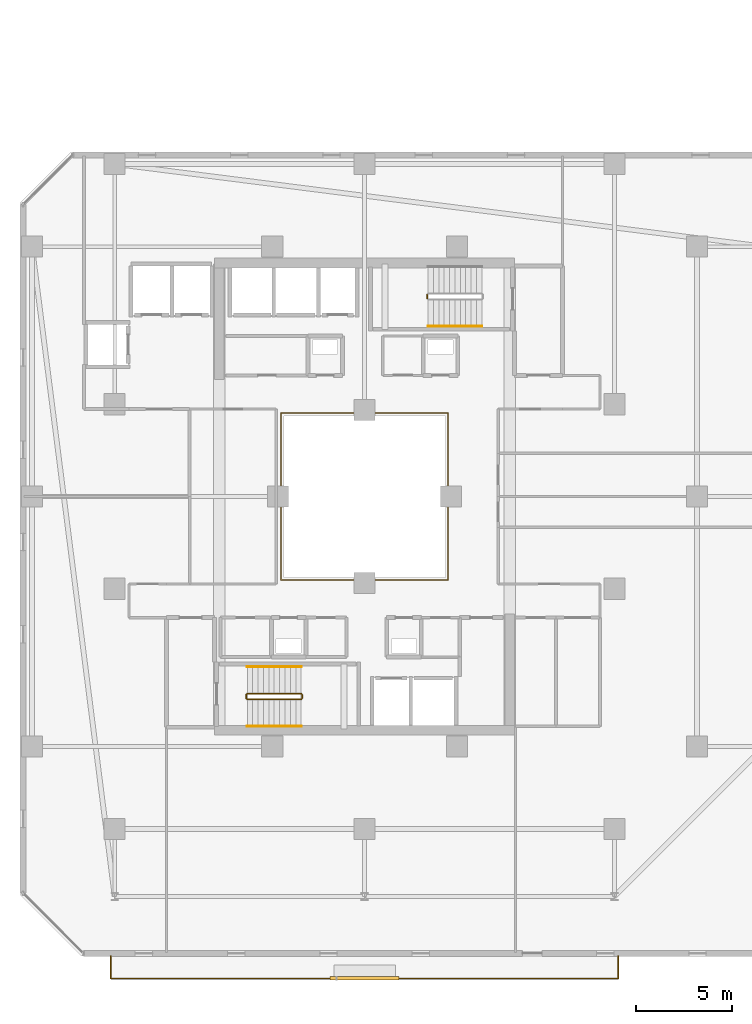
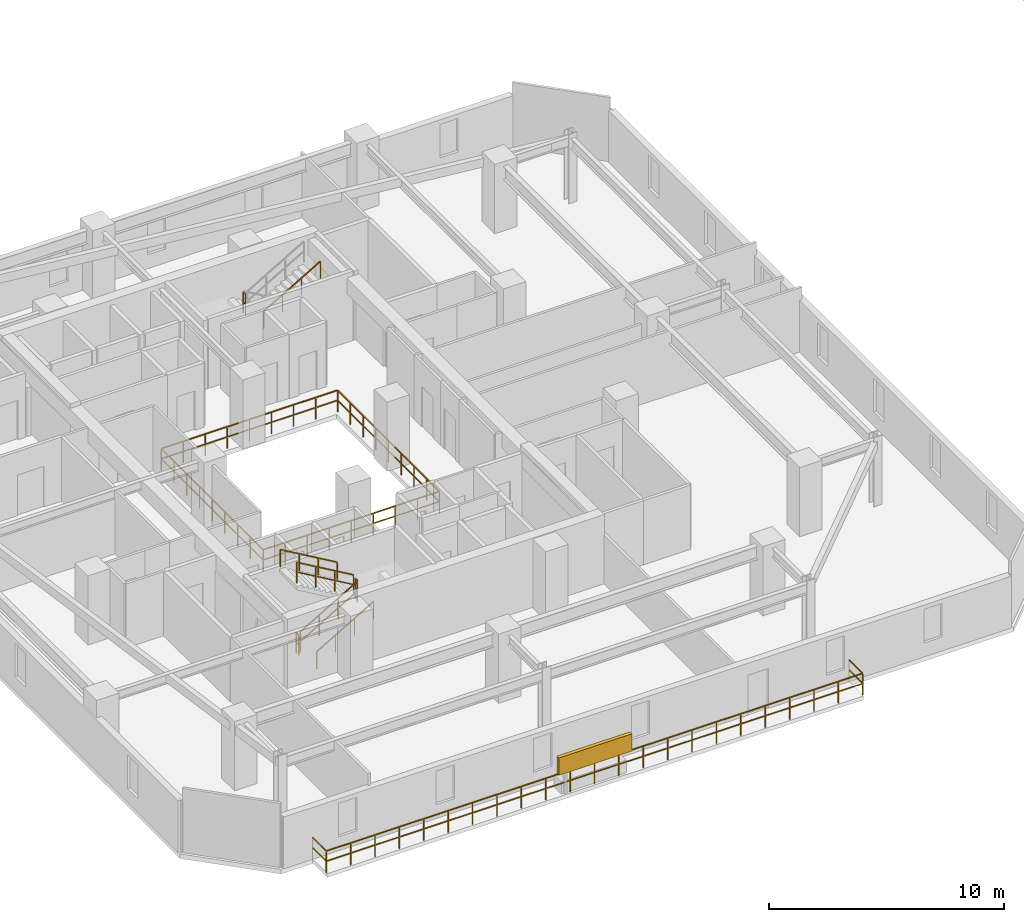
# One storey, part 30 of 33: 10 railings, 1 shading device.
"""IFC4 building model written with IfcOpenShell, lengths in metres."""

from ifc_helpers import new_model, si_unit, direction, frame, origin, origin_2d, place, context, subcontext, project, spatial, rectangle, extrude, material, type_object, element, save


model = new_model("IFC4")

# Units and contexts
model_context = context("Model", 3, precision=1e-05, world=origin(), true_north=direction((0.0, 1.0)))
body_context = subcontext(model_context, "Body", "Model", "MODEL_VIEW")
ifc_project = project(units=[si_unit("LENGTHUNIT", "METRE"), si_unit("AREAUNIT", "SQUARE_METRE"), si_unit("VOLUMEUNIT", "CUBIC_METRE"), si_unit("PLANEANGLEUNIT", "RADIAN"), si_unit("MASSUNIT", "GRAM", prefix="KILO")], contexts=[model_context])

# Site, building, storey
site_placement = place(None, origin())
site = spatial("IfcSite", under=ifc_project, at=site_placement, CompositionType="ELEMENT")
building_placement = place(site_placement, origin())
building = spatial("IfcBuilding", under=site, at=building_placement, Name="Thornwick Lancets Civic Towers", CompositionType="ELEMENT")
storey_placement = place(building_placement, frame((0.0, 0.0, 163.5)))
storey = spatial("IfcBuildingStorey", under=building, at=storey_placement, Name="L43", CompositionType="ELEMENT", Elevation=163.5)

# Railings
ifc_material_1 = material(Name="Laminated glass and bronze steel S355", Category="steel")
railing_type_1 = type_object("IfcRailingType", Name="RAIL_ATRIUM_GUARD", PredefinedType="BALUSTRADE", material=ifc_material_1)
railing_1_placement = place(storey_placement, frame((21.159912109375, 22.659912109375, 0.0)))
element("IfcRailing", 1, at=railing_1_placement, inside=storey, type_object=railing_type_1, Name="L43 Tower A Central Atrium Guard Balustrade", PredefinedType="BALUSTRADE", context=body_context, shape_type="SweptSolid", body=[
    extrude(rectangle(XDim=0.048095703125, YDim=0.048095703125, at=origin_2d()), frame((0.0, 0.0, 1.1259765625), z_axis=(1.0, 0.0, 0.0), x_axis=(0.0, 1.0, 0.0)), (0.0, 0.0, 1.0), 8.64892578125),
    extrude(rectangle(XDim=0.0419921875, YDim=0.0419921875, at=origin_2d()), frame((0.03759765625, 0.0, 0.597900390625), z_axis=(1.0, 0.0, 0.0), x_axis=(0.0, 1.0, 0.0)), (0.0, 0.0, 1.0), 1.010009765625),
    extrude(rectangle(XDim=0.0419921875, YDim=0.0419921875, at=origin_2d()), frame((1.12255859375, 0.0, 0.597900390625), z_axis=(1.0, 0.0, 0.0), x_axis=(0.0, 1.0, 0.0)), (0.0, 0.0, 1.0), 1.010009765625),
    extrude(rectangle(XDim=0.0419921875, YDim=0.0419921875, at=origin_2d()), frame((2.20751953125, 0.0, 0.597900390625), z_axis=(1.0, 0.0, 0.0), x_axis=(0.0, 1.0, 0.0)), (0.0, 0.0, 1.0), 1.010009765625),
    extrude(rectangle(XDim=0.0419921875, YDim=0.0419921875, at=origin_2d()), frame((3.29248046875, 0.0, 0.597900390625), z_axis=(1.0, 0.0, 0.0), x_axis=(0.0, 1.0, 0.0)), (0.0, 0.0, 1.0), 1.010009765625),
    extrude(rectangle(XDim=0.0419921875, YDim=0.0419921875, at=origin_2d()), frame((4.377685546875, 0.0, 0.597900390625), z_axis=(1.0, 0.0, 0.0), x_axis=(0.0, 1.0, 0.0)), (0.0, 0.0, 1.0), 1.010009765625),
    extrude(rectangle(XDim=0.0419921875, YDim=0.0419921875, at=origin_2d()), frame((5.462646484375, 0.0, 0.597900390625), z_axis=(1.0, 0.0, 0.0), x_axis=(0.0, 1.0, 0.0)), (0.0, 0.0, 1.0), 1.010009765625),
    extrude(rectangle(XDim=0.0419921875, YDim=0.0419921875, at=origin_2d()), frame((6.547607421875, 0.0, 0.597900390625), z_axis=(1.0, 0.0, 0.0), x_axis=(0.0, 1.0, 0.0)), (0.0, 0.0, 1.0), 1.010009765625),
    extrude(rectangle(XDim=0.0419921875, YDim=0.0419921875, at=origin_2d()), frame((7.632568359375, 0.0, 0.597900390625), z_axis=(1.0, 0.0, 0.0), x_axis=(0.0, 1.0, 0.0)), (0.0, 0.0, 1.0), 1.010009765625),
    extrude(rectangle(XDim=0.048095703125, YDim=0.048095703125, at=origin_2d()), frame((8.68017578125, 0.03125, 1.1259765625), z_axis=(0.0, 1.0, 0.0), x_axis=(-1.0, 0.0, 0.0)), (0.0, 0.0, 1.0), 8.61767578125),
    extrude(rectangle(XDim=0.0419921875, YDim=0.0419921875, at=origin_2d()), frame((8.68017578125, 0.03759765625, 0.597900390625), z_axis=(0.0, 1.0, 0.0), x_axis=(-1.0, 0.0, 0.0)), (0.0, 0.0, 1.0), 1.010009765625),
    extrude(rectangle(XDim=0.0419921875, YDim=0.0419921875, at=origin_2d()), frame((8.68017578125, 1.12255859375, 0.597900390625), z_axis=(0.0, 1.0, 0.0), x_axis=(-1.0, 0.0, 0.0)), (0.0, 0.0, 1.0), 1.010009765625),
    extrude(rectangle(XDim=0.0419921875, YDim=0.0419921875, at=origin_2d()), frame((8.68017578125, 2.20751953125, 0.597900390625), z_axis=(0.0, 1.0, 0.0), x_axis=(-1.0, 0.0, 0.0)), (0.0, 0.0, 1.0), 1.010009765625),
    extrude(rectangle(XDim=0.0419921875, YDim=0.0419921875, at=origin_2d()), frame((8.68017578125, 3.29248046875, 0.597900390625), z_axis=(0.0, 1.0, 0.0), x_axis=(-1.0, 0.0, 0.0)), (0.0, 0.0, 1.0), 1.010009765625),
    extrude(rectangle(XDim=0.0419921875, YDim=0.0419921875, at=origin_2d()), frame((8.68017578125, 4.377685546875, 0.597900390625), z_axis=(0.0, 1.0, 0.0), x_axis=(-1.0, 0.0, 0.0)), (0.0, 0.0, 1.0), 1.010009765625),
    extrude(rectangle(XDim=0.0419921875, YDim=0.0419921875, at=origin_2d()), frame((8.68017578125, 5.462646484375, 0.597900390625), z_axis=(0.0, 1.0, 0.0), x_axis=(-1.0, 0.0, 0.0)), (0.0, 0.0, 1.0), 1.010009765625),
    extrude(rectangle(XDim=0.0419921875, YDim=0.0419921875, at=origin_2d()), frame((8.68017578125, 6.547607421875, 0.597900390625), z_axis=(0.0, 1.0, 0.0), x_axis=(-1.0, 0.0, 0.0)), (0.0, 0.0, 1.0), 1.010009765625),
    extrude(rectangle(XDim=0.0419921875, YDim=0.0419921875, at=origin_2d()), frame((8.68017578125, 7.632568359375, 0.597900390625), z_axis=(0.0, 1.0, 0.0), x_axis=(-1.0, 0.0, 0.0)), (0.0, 0.0, 1.0), 1.010009765625),
    extrude(rectangle(XDim=0.048095703125, YDim=0.048095703125, at=origin_2d()), frame((8.64892578125, 8.68017578125, 1.1259765625), z_axis=(-1.0, 0.0, 0.0), x_axis=(0.0, -1.0, 0.0)), (0.0, 0.0, 1.0), 8.61767578125),
    extrude(rectangle(XDim=0.0419921875, YDim=0.0419921875, at=origin_2d()), frame((8.642578125, 8.68017578125, 0.597900390625), z_axis=(-1.0, 0.0, 0.0), x_axis=(0.0, -1.0, 0.0)), (0.0, 0.0, 1.0), 1.010009765625),
    extrude(rectangle(XDim=0.0419921875, YDim=0.0419921875, at=origin_2d()), frame((7.5576171875, 8.68017578125, 0.597900390625), z_axis=(-1.0, 0.0, 0.0), x_axis=(0.0, -1.0, 0.0)), (0.0, 0.0, 1.0), 1.010009765625),
    extrude(rectangle(XDim=0.0419921875, YDim=0.0419921875, at=origin_2d()), frame((6.47265625, 8.68017578125, 0.597900390625), z_axis=(-1.0, 0.0, 0.0), x_axis=(0.0, -1.0, 0.0)), (0.0, 0.0, 1.0), 1.010009765625),
    extrude(rectangle(XDim=0.0419921875, YDim=0.0419921875, at=origin_2d()), frame((5.3876953125, 8.68017578125, 0.597900390625), z_axis=(-1.0, 0.0, 0.0), x_axis=(0.0, -1.0, 0.0)), (0.0, 0.0, 1.0), 1.010009765625),
    extrude(rectangle(XDim=0.0419921875, YDim=0.0419921875, at=origin_2d()), frame((4.302490234375, 8.68017578125, 0.597900390625), z_axis=(-1.0, 0.0, 0.0), x_axis=(0.0, -1.0, 0.0)), (0.0, 0.0, 1.0), 1.010009765625),
    extrude(rectangle(XDim=0.0419921875, YDim=0.0419921875, at=origin_2d()), frame((3.217529296875, 8.68017578125, 0.597900390625), z_axis=(-1.0, 0.0, 0.0), x_axis=(0.0, -1.0, 0.0)), (0.0, 0.0, 1.0), 1.010009765625),
    extrude(rectangle(XDim=0.0419921875, YDim=0.0419921875, at=origin_2d()), frame((2.132568359375, 8.68017578125, 0.597900390625), z_axis=(-1.0, 0.0, 0.0), x_axis=(0.0, -1.0, 0.0)), (0.0, 0.0, 1.0), 1.010009765625),
    extrude(rectangle(XDim=0.0419921875, YDim=0.0419921875, at=origin_2d()), frame((1.047607421875, 8.68017578125, 0.597900390625), z_axis=(-1.0, 0.0, 0.0), x_axis=(0.0, -1.0, 0.0)), (0.0, 0.0, 1.0), 1.010009765625),
    extrude(rectangle(XDim=0.048095703125, YDim=0.048095703125, at=origin_2d()), frame((0.0, 8.64892578125, 1.1259765625), z_axis=(0.0, -1.0, 0.0), x_axis=(1.0, 0.0, 0.0)), (0.0, 0.0, 1.0), 8.64892578125),
    extrude(rectangle(XDim=0.0419921875, YDim=0.0419921875, at=origin_2d()), frame((0.0, 8.642578125, 0.597900390625), z_axis=(0.0, -1.0, 0.0), x_axis=(1.0, 0.0, 0.0)), (0.0, 0.0, 1.0), 1.010009765625),
    extrude(rectangle(XDim=0.0419921875, YDim=0.0419921875, at=origin_2d()), frame((0.0, 7.5576171875, 0.597900390625), z_axis=(0.0, -1.0, 0.0), x_axis=(1.0, 0.0, 0.0)), (0.0, 0.0, 1.0), 1.010009765625),
    extrude(rectangle(XDim=0.0419921875, YDim=0.0419921875, at=origin_2d()), frame((0.0, 6.47265625, 0.597900390625), z_axis=(0.0, -1.0, 0.0), x_axis=(1.0, 0.0, 0.0)), (0.0, 0.0, 1.0), 1.010009765625),
    extrude(rectangle(XDim=0.0419921875, YDim=0.0419921875, at=origin_2d()), frame((0.0, 5.3876953125, 0.597900390625), z_axis=(0.0, -1.0, 0.0), x_axis=(1.0, 0.0, 0.0)), (0.0, 0.0, 1.0), 1.010009765625),
    extrude(rectangle(XDim=0.0419921875, YDim=0.0419921875, at=origin_2d()), frame((0.0, 4.302490234375, 0.597900390625), z_axis=(0.0, -1.0, 0.0), x_axis=(1.0, 0.0, 0.0)), (0.0, 0.0, 1.0), 1.010009765625),
    extrude(rectangle(XDim=0.0419921875, YDim=0.0419921875, at=origin_2d()), frame((0.0, 3.217529296875, 0.597900390625), z_axis=(0.0, -1.0, 0.0), x_axis=(1.0, 0.0, 0.0)), (0.0, 0.0, 1.0), 1.010009765625),
    extrude(rectangle(XDim=0.0419921875, YDim=0.0419921875, at=origin_2d()), frame((0.0, 2.132568359375, 0.597900390625), z_axis=(0.0, -1.0, 0.0), x_axis=(1.0, 0.0, 0.0)), (0.0, 0.0, 1.0), 1.010009765625),
    extrude(rectangle(XDim=0.0419921875, YDim=0.0419921875, at=origin_2d()), frame((0.0, 1.047607421875, 0.597900390625), z_axis=(0.0, -1.0, 0.0), x_axis=(1.0, 0.0, 0.0)), (0.0, 0.0, 1.0), 1.010009765625),
    extrude(rectangle(XDim=0.0419921875, YDim=0.0419921875, at=origin_2d()), origin(), (0.0, 0.0, 1.0), 1.095703125),
    extrude(rectangle(XDim=0.0419921875, YDim=0.0419921875, at=origin_2d()), frame((1.0849609375, 0.0, 0.0)), (0.0, 0.0, 1.0), 1.095703125),
    extrude(rectangle(XDim=0.0419921875, YDim=0.0419921875, at=origin_2d()), frame((2.169921875, 0.0, 0.0)), (0.0, 0.0, 1.0), 1.095703125),
    extrude(rectangle(XDim=0.0419921875, YDim=0.0419921875, at=origin_2d()), frame((3.255126953125, 0.0, 0.0)), (0.0, 0.0, 1.0), 1.095703125),
    extrude(rectangle(XDim=0.0419921875, YDim=0.0419921875, at=origin_2d()), frame((4.340087890625, 0.0, 0.0)), (0.0, 0.0, 1.0), 1.095703125),
    extrude(rectangle(XDim=0.0419921875, YDim=0.0419921875, at=origin_2d()), frame((5.425048828125, 0.0, 0.0)), (0.0, 0.0, 1.0), 1.095703125),
    extrude(rectangle(XDim=0.0419921875, YDim=0.0419921875, at=origin_2d()), frame((6.51025390625, 0.0, 0.0)), (0.0, 0.0, 1.0), 1.095703125),
    extrude(rectangle(XDim=0.0419921875, YDim=0.0419921875, at=origin_2d()), frame((7.59521484375, 0.0, 0.0)), (0.0, 0.0, 1.0), 1.095703125),
    extrude(rectangle(XDim=0.0419921875, YDim=0.0419921875, at=origin_2d()), frame((8.68017578125, 0.0, 0.0)), (0.0, 0.0, 1.0), 1.095703125),
    extrude(rectangle(XDim=0.0419921875, YDim=0.0419921875, at=origin_2d()), frame((8.68017578125, 1.0849609375, 0.0)), (0.0, 0.0, 1.0), 1.095703125),
    extrude(rectangle(XDim=0.0419921875, YDim=0.0419921875, at=origin_2d()), frame((8.68017578125, 2.169921875, 0.0)), (0.0, 0.0, 1.0), 1.095703125),
    extrude(rectangle(XDim=0.0419921875, YDim=0.0419921875, at=origin_2d()), frame((8.68017578125, 3.255126953125, 0.0)), (0.0, 0.0, 1.0), 1.095703125),
    extrude(rectangle(XDim=0.0419921875, YDim=0.0419921875, at=origin_2d()), frame((8.68017578125, 4.340087890625, 0.0)), (0.0, 0.0, 1.0), 1.095703125),
    extrude(rectangle(XDim=0.0419921875, YDim=0.0419921875, at=origin_2d()), frame((8.68017578125, 5.425048828125, 0.0)), (0.0, 0.0, 1.0), 1.095703125),
    extrude(rectangle(XDim=0.0419921875, YDim=0.0419921875, at=origin_2d()), frame((8.68017578125, 6.51025390625, 0.0)), (0.0, 0.0, 1.0), 1.095703125),
    extrude(rectangle(XDim=0.0419921875, YDim=0.0419921875, at=origin_2d()), frame((8.68017578125, 7.59521484375, 0.0)), (0.0, 0.0, 1.0), 1.095703125),
    extrude(rectangle(XDim=0.0419921875, YDim=0.0419921875, at=origin_2d()), frame((8.68017578125, 8.68017578125, 0.0)), (0.0, 0.0, 1.0), 1.095703125),
    extrude(rectangle(XDim=0.0419921875, YDim=0.0419921875, at=origin_2d()), frame((7.59521484375, 8.68017578125, 0.0)), (0.0, 0.0, 1.0), 1.095703125),
    extrude(rectangle(XDim=0.0419921875, YDim=0.0419921875, at=origin_2d()), frame((6.51025390625, 8.68017578125, 0.0)), (0.0, 0.0, 1.0), 1.095703125),
    extrude(rectangle(XDim=0.0419921875, YDim=0.0419921875, at=origin_2d()), frame((5.425048828125, 8.68017578125, 0.0)), (0.0, 0.0, 1.0), 1.095703125),
    extrude(rectangle(XDim=0.0419921875, YDim=0.0419921875, at=origin_2d()), frame((4.340087890625, 8.68017578125, 0.0)), (0.0, 0.0, 1.0), 1.095703125),
    extrude(rectangle(XDim=0.0419921875, YDim=0.0419921875, at=origin_2d()), frame((3.255126953125, 8.68017578125, 0.0)), (0.0, 0.0, 1.0), 1.095703125),
    extrude(rectangle(XDim=0.0419921875, YDim=0.0419921875, at=origin_2d()), frame((2.169921875, 8.68017578125, 0.0)), (0.0, 0.0, 1.0), 1.095703125),
    extrude(rectangle(XDim=0.0419921875, YDim=0.0419921875, at=origin_2d()), frame((1.0849609375, 8.68017578125, 0.0)), (0.0, 0.0, 1.0), 1.095703125),
    extrude(rectangle(XDim=0.0419921875, YDim=0.0419921875, at=origin_2d()), frame((0.0, 8.68017578125, 0.0)), (0.0, 0.0, 1.0), 1.095703125),
    extrude(rectangle(XDim=0.0419921875, YDim=0.0419921875, at=origin_2d()), frame((0.0, 7.59521484375, 0.0)), (0.0, 0.0, 1.0), 1.095703125),
    extrude(rectangle(XDim=0.0419921875, YDim=0.0419921875, at=origin_2d()), frame((0.0, 6.51025390625, 0.0)), (0.0, 0.0, 1.0), 1.095703125),
    extrude(rectangle(XDim=0.0419921875, YDim=0.0419921875, at=origin_2d()), frame((0.0, 5.425048828125, 0.0)), (0.0, 0.0, 1.0), 1.095703125),
    extrude(rectangle(XDim=0.0419921875, YDim=0.0419921875, at=origin_2d()), frame((0.0, 4.340087890625, 0.0)), (0.0, 0.0, 1.0), 1.095703125),
    extrude(rectangle(XDim=0.0419921875, YDim=0.0419921875, at=origin_2d()), frame((0.0, 3.255126953125, 0.0)), (0.0, 0.0, 1.0), 1.095703125),
    extrude(rectangle(XDim=0.0419921875, YDim=0.0419921875, at=origin_2d()), frame((0.0, 2.169921875, 0.0)), (0.0, 0.0, 1.0), 1.095703125),
    extrude(rectangle(XDim=0.0419921875, YDim=0.0419921875, at=origin_2d()), frame((0.0, 1.0849609375, 0.0)), (0.0, 0.0, 1.0), 1.095703125),
])
ifc_material_2 = material(Name="Brushed stainless steel S355", Category="steel")
railing_type_2 = type_object("IfcRailingType", Name="RAIL_HANDRAIL", PredefinedType="HANDRAIL", material=ifc_material_2)
railing_2_placement = place(storey_placement, frame((19.39990234375, 15.050048828125, 0.16357421875)))
element("IfcRailing", 2, at=railing_2_placement, inside=storey, type_object=railing_type_2, Name="L43 ST-A1 stair handrail 1", PredefinedType="HANDRAIL", context=body_context, shape_type="SweptSolid", body=[
    extrude(rectangle(XDim=0.048095703125, YDim=0.048095703125, at=origin_2d()), frame((0.0, 0.0, 0.8857421875), z_axis=(0.863360870873, 0.0, 0.504586966384), x_axis=(0.0, 1.0, 0.0)), (0.0, 0.0, 1.0), 3.2431640625),
    extrude(rectangle(XDim=0.0419921875, YDim=0.0419921875, at=origin_2d()), origin(), (0.0, 0.0, 1.0), 0.855712890625),
    extrude(rectangle(XDim=0.0419921875, YDim=0.0419921875, at=origin_2d()), frame((0.933349609375, 0.0, 0.54541015625)), (0.0, 0.0, 1.0), 0.855712890625),
    extrude(rectangle(XDim=0.0419921875, YDim=0.0419921875, at=origin_2d()), frame((1.86669921875, 0.0, 1.091064453125)), (0.0, 0.0, 1.0), 0.855712890625),
    extrude(rectangle(XDim=0.0419921875, YDim=0.0419921875, at=origin_2d()), frame((2.800048828125, 0.0, 1.636474609375)), (0.0, 0.0, 1.0), 0.855712890625),
])
railing_3_placement = place(storey_placement, frame((22.199951171875, 18.14990234375, 1.963623046875)))
element("IfcRailing", 3, at=railing_3_placement, inside=storey, type_object=railing_type_2, Name="L43 ST-A1 stair handrail 2", PredefinedType="HANDRAIL", context=body_context, shape_type="SweptSolid", body=[
    extrude(rectangle(XDim=0.048095703125, YDim=0.048095703125, at=origin_2d()), frame((0.0, 0.0, 0.8857421875), z_axis=(-0.863360870873, 0.0, 0.504586966384), x_axis=(0.0, -1.0, 0.0)), (0.0, 0.0, 1.0), 3.2431640625),
    extrude(rectangle(XDim=0.0419921875, YDim=0.0419921875, at=origin_2d()), origin(), (0.0, 0.0, 1.0), 0.855712890625),
    extrude(rectangle(XDim=0.0419921875, YDim=0.0419921875, at=origin_2d()), frame((-0.933349609375, 0.0, 0.54541015625)), (0.0, 0.0, 1.0), 0.855712890625),
    extrude(rectangle(XDim=0.0419921875, YDim=0.0419921875, at=origin_2d()), frame((-1.86669921875, 0.0, 1.091064453125)), (0.0, 0.0, 1.0), 0.855712890625),
    extrude(rectangle(XDim=0.0419921875, YDim=0.0419921875, at=origin_2d()), frame((-2.800048828125, 0.0, 1.636474609375)), (0.0, 0.0, 1.0), 0.855712890625),
])
railing_4_placement = place(storey_placement, frame((28.800048828125, 35.85009765625, 1.963623046875)))
element("IfcRailing", 4, at=railing_4_placement, inside=storey, type_object=railing_type_2, Name="L43 ST-A2 stair handrail 2", PredefinedType="HANDRAIL", context=body_context, shape_type="SweptSolid", body=[
    extrude(rectangle(XDim=0.048095703125, YDim=0.048095703125, at=origin_2d()), frame((0.0, 0.0, 0.8857421875), z_axis=(0.863360870873, 0.0, 0.504586966384), x_axis=(0.0, 1.0, 0.0)), (0.0, 0.0, 1.0), 3.2431640625),
    extrude(rectangle(XDim=0.0419921875, YDim=0.0419921875, at=origin_2d()), origin(), (0.0, 0.0, 1.0), 0.855712890625),
    extrude(rectangle(XDim=0.0419921875, YDim=0.0419921875, at=origin_2d()), frame((0.933349609375, 0.0, 0.54541015625)), (0.0, 0.0, 1.0), 0.855712890625),
    extrude(rectangle(XDim=0.0419921875, YDim=0.0419921875, at=origin_2d()), frame((1.86669921875, 0.0, 1.091064453125)), (0.0, 0.0, 1.0), 0.855712890625),
    extrude(rectangle(XDim=0.0419921875, YDim=0.0419921875, at=origin_2d()), frame((2.800048828125, 0.0, 1.636474609375)), (0.0, 0.0, 1.0), 0.855712890625),
])
ifc_material_3 = material(Name="Steel S355JR", Category="steel")
railing_type_3 = type_object("IfcRailingType", Name="RAIL_STAIR_GUARD", PredefinedType="GUARDRAIL", material=ifc_material_3)
railing_5_placement = place(storey_placement, frame((19.39990234375, 16.449951171875, 0.16357421875)))
element("IfcRailing", 5, at=railing_5_placement, inside=storey, type_object=railing_type_3, Name="L43 ST-A1 stair guard 1", PredefinedType="GUARDRAIL", context=body_context, shape_type="SweptSolid", body=[
    extrude(rectangle(XDim=0.048095703125, YDim=0.048095703125, at=origin_2d()), frame((0.0, 0.0, 1.076171875), z_axis=(0.863360870873, 0.0, 0.504586966384), x_axis=(0.0, 1.0, 0.0)), (0.0, 0.0, 1.0), 3.2431640625),
    extrude(rectangle(XDim=0.0419921875, YDim=0.0419921875, at=origin_2d()), frame((0.032470703125, 0.0, 0.591064453125), z_axis=(0.863360870873, 0.0, 0.504586966384), x_axis=(0.0, 1.0, 0.0)), (0.0, 0.0, 1.0), 1.006103515625),
    extrude(rectangle(XDim=0.0419921875, YDim=0.0419921875, at=origin_2d()), frame((0.9658203125, 0.0, 1.136474609375), z_axis=(0.863360870873, 0.0, 0.504586966384), x_axis=(0.0, 1.0, 0.0)), (0.0, 0.0, 1.0), 1.006103515625),
    extrude(rectangle(XDim=0.0419921875, YDim=0.0419921875, at=origin_2d()), frame((1.899169921875, 0.0, 1.681884765625), z_axis=(0.863360870873, 0.0, 0.504586966384), x_axis=(0.0, 1.0, 0.0)), (0.0, 0.0, 1.0), 1.006103515625),
    extrude(rectangle(XDim=0.0419921875, YDim=0.0419921875, at=origin_2d()), origin(), (0.0, 0.0, 1.0), 1.0458984375),
    extrude(rectangle(XDim=0.0419921875, YDim=0.0419921875, at=origin_2d()), frame((0.933349609375, 0.0, 0.54541015625)), (0.0, 0.0, 1.0), 1.0458984375),
    extrude(rectangle(XDim=0.0419921875, YDim=0.0419921875, at=origin_2d()), frame((1.86669921875, 0.0, 1.091064453125)), (0.0, 0.0, 1.0), 1.0458984375),
    extrude(rectangle(XDim=0.0419921875, YDim=0.0419921875, at=origin_2d()), frame((2.800048828125, 0.0, 1.636474609375)), (0.0, 0.0, 1.0), 1.0458984375),
])
railing_6_placement = place(storey_placement, frame((22.25, 16.5, 1.800048828125)))
element("IfcRailing", 6, at=railing_6_placement, inside=storey, type_object=railing_type_3, Name="L43 ST-A1 stair guard 2", PredefinedType="GUARDRAIL", context=body_context, shape_type="SweptSolid", body=[
    extrude(rectangle(XDim=0.048095703125, YDim=0.048095703125, at=origin_2d()), frame((0.0, 0.0, 1.076171875), z_axis=(0.0, 1.0, 0.0), x_axis=(-1.0, 0.0, 0.0)), (0.0, 0.0, 1.0), 0.199951171875),
    extrude(rectangle(XDim=0.0419921875, YDim=0.0419921875, at=origin_2d()), frame((0.0, 0.03759765625, 0.572021484375), z_axis=(0.0, 1.0, 0.0), x_axis=(-1.0, 0.0, 0.0)), (0.0, 0.0, 1.0), 0.125),
    extrude(rectangle(XDim=0.0419921875, YDim=0.0419921875, at=origin_2d()), origin(), (0.0, 0.0, 1.0), 1.0458984375),
    extrude(rectangle(XDim=0.0419921875, YDim=0.0419921875, at=origin_2d()), frame((0.0, 0.199951171875, 0.0)), (0.0, 0.0, 1.0), 1.0458984375),
])
railing_7_placement = place(storey_placement, frame((22.199951171875, 16.75, 1.963623046875)))
element("IfcRailing", 7, at=railing_7_placement, inside=storey, type_object=railing_type_3, Name="L43 ST-A1 stair guard 3", PredefinedType="GUARDRAIL", context=body_context, shape_type="SweptSolid", body=[
    extrude(rectangle(XDim=0.048095703125, YDim=0.048095703125, at=origin_2d()), frame((0.0, 0.0, 1.076171875), z_axis=(-0.863360870873, 0.0, 0.504586966384), x_axis=(0.0, -1.0, 0.0)), (0.0, 0.0, 1.0), 3.2431640625),
    extrude(rectangle(XDim=0.0419921875, YDim=0.0419921875, at=origin_2d()), frame((-0.032470703125, 0.0, 0.591064453125), z_axis=(-0.863360870873, 0.0, 0.504586966384), x_axis=(0.0, -1.0, 0.0)), (0.0, 0.0, 1.0), 1.006103515625),
    extrude(rectangle(XDim=0.0419921875, YDim=0.0419921875, at=origin_2d()), frame((-0.9658203125, 0.0, 1.136474609375), z_axis=(-0.863360870873, 0.0, 0.504586966384), x_axis=(0.0, -1.0, 0.0)), (0.0, 0.0, 1.0), 1.006103515625),
    extrude(rectangle(XDim=0.0419921875, YDim=0.0419921875, at=origin_2d()), frame((-1.899169921875, 0.0, 1.681884765625), z_axis=(-0.863360870873, 0.0, 0.504586966384), x_axis=(0.0, -1.0, 0.0)), (0.0, 0.0, 1.0), 1.006103515625),
    extrude(rectangle(XDim=0.0419921875, YDim=0.0419921875, at=origin_2d()), origin(), (0.0, 0.0, 1.0), 1.0458984375),
    extrude(rectangle(XDim=0.0419921875, YDim=0.0419921875, at=origin_2d()), frame((-0.933349609375, 0.0, 0.54541015625)), (0.0, 0.0, 1.0), 1.0458984375),
    extrude(rectangle(XDim=0.0419921875, YDim=0.0419921875, at=origin_2d()), frame((-1.86669921875, 0.0, 1.091064453125)), (0.0, 0.0, 1.0), 1.0458984375),
    extrude(rectangle(XDim=0.0419921875, YDim=0.0419921875, at=origin_2d()), frame((-2.800048828125, 0.0, 1.636474609375)), (0.0, 0.0, 1.0), 1.0458984375),
])
railing_8_placement = place(storey_placement, frame((19.35009765625, 16.5, 0.0)))
element("IfcRailing", 8, at=railing_8_placement, inside=storey, type_object=railing_type_3, Name="L43 ST-A1 stair guard 4", PredefinedType="GUARDRAIL", context=body_context, shape_type="SweptSolid", body=[
    extrude(rectangle(XDim=0.048095703125, YDim=0.048095703125, at=origin_2d()), frame((0.0, 0.0, 1.076171875), z_axis=(0.0, 1.0, 0.0), x_axis=(-1.0, 0.0, 0.0)), (0.0, 0.0, 1.0), 0.199951171875),
    extrude(rectangle(XDim=0.0419921875, YDim=0.0419921875, at=origin_2d()), frame((0.0, 0.03759765625, 0.572021484375), z_axis=(0.0, 1.0, 0.0), x_axis=(-1.0, 0.0, 0.0)), (0.0, 0.0, 1.0), 0.125),
    extrude(rectangle(XDim=0.0419921875, YDim=0.0419921875, at=origin_2d()), origin(), (0.0, 0.0, 1.0), 1.0458984375),
    extrude(rectangle(XDim=0.0419921875, YDim=0.0419921875, at=origin_2d()), frame((0.0, 0.199951171875, 0.0)), (0.0, 0.0, 1.0), 1.0458984375),
])
railing_9_placement = place(storey_placement, frame((28.75, 37.5, 1.800048828125)))
element("IfcRailing", 9, at=railing_9_placement, inside=storey, type_object=railing_type_3, Name="L43 ST-A2 stair guard 2", PredefinedType="GUARDRAIL", context=body_context, shape_type="SweptSolid", body=[
    extrude(rectangle(XDim=0.048095703125, YDim=0.048095703125, at=origin_2d()), frame((0.0, 0.0, 1.076171875), z_axis=(0.0, -1.0, 0.0), x_axis=(1.0, 0.0, 0.0)), (0.0, 0.0, 1.0), 0.199951171875),
    extrude(rectangle(XDim=0.0419921875, YDim=0.0419921875, at=origin_2d()), frame((0.0, -0.03759765625, 0.572021484375), z_axis=(0.0, -1.0, 0.0), x_axis=(1.0, 0.0, 0.0)), (0.0, 0.0, 1.0), 0.125),
    extrude(rectangle(XDim=0.0419921875, YDim=0.0419921875, at=origin_2d()), origin(), (0.0, 0.0, 1.0), 1.0458984375),
    extrude(rectangle(XDim=0.0419921875, YDim=0.0419921875, at=origin_2d()), frame((0.0, -0.199951171875, 0.0)), (0.0, 0.0, 1.0), 1.0458984375),
])
ifc_material_4 = material(Name="Terracotta-capped laminated glass balustrade S355", Category="masonry")
railing_type_4 = type_object("IfcRailingType", Name="RAIL_TERR_GUARD", PredefinedType="GUARDRAIL", material=ifc_material_4)
railing_10_placement = place(storey_placement, frame((12.300048828125, 3.10009765625, 0.0)))
element("IfcRailing", 10, at=railing_10_placement, inside=storey, type_object=railing_type_4, Name="L43 Tower A Balcony Guard S", PredefinedType="GUARDRAIL", context=body_context, shape_type="SweptSolid", body=[
    extrude(rectangle(XDim=0.048095703125, YDim=0.048095703125, at=origin_2d()), frame((0.0, 0.0, 1.1259765625), z_axis=(0.0, -1.0, 0.0), x_axis=(1.0, 0.0, 0.0)), (0.0, 0.0, 1.0), 1.138916015625),
    extrude(rectangle(XDim=0.0419921875, YDim=0.0419921875, at=origin_2d()), frame((0.0, -0.03759765625, 0.597900390625), z_axis=(0.0, -1.0, 0.0), x_axis=(1.0, 0.0, 0.0)), (0.0, 0.0, 1.0), 1.09521484375),
    extrude(rectangle(XDim=0.048095703125, YDim=0.048095703125, at=origin_2d()), frame((0.03125, -1.170166015625, 1.1259765625), z_axis=(1.0, 0.0, 0.0), x_axis=(0.0, 1.0, 0.0)), (0.0, 0.0, 1.0), 26.33740234375),
    extrude(rectangle(XDim=0.0419921875, YDim=0.0419921875, at=origin_2d()), frame((0.03759765625, -1.170166015625, 0.597900390625), z_axis=(1.0, 0.0, 0.0), x_axis=(0.0, 1.0, 0.0)), (0.0, 0.0, 1.0), 1.125),
    extrude(rectangle(XDim=0.0419921875, YDim=0.0419921875, at=origin_2d()), frame((1.237548828125, -1.170166015625, 0.597900390625), z_axis=(1.0, 0.0, 0.0), x_axis=(0.0, 1.0, 0.0)), (0.0, 0.0, 1.0), 1.125),
    extrude(rectangle(XDim=0.0419921875, YDim=0.0419921875, at=origin_2d()), frame((2.4375, -1.170166015625, 0.597900390625), z_axis=(1.0, 0.0, 0.0), x_axis=(0.0, 1.0, 0.0)), (0.0, 0.0, 1.0), 1.125),
    extrude(rectangle(XDim=0.0419921875, YDim=0.0419921875, at=origin_2d()), frame((3.637451171875, -1.170166015625, 0.597900390625), z_axis=(1.0, 0.0, 0.0), x_axis=(0.0, 1.0, 0.0)), (0.0, 0.0, 1.0), 1.125),
    extrude(rectangle(XDim=0.0419921875, YDim=0.0419921875, at=origin_2d()), frame((4.83740234375, -1.170166015625, 0.597900390625), z_axis=(1.0, 0.0, 0.0), x_axis=(0.0, 1.0, 0.0)), (0.0, 0.0, 1.0), 1.125),
    extrude(rectangle(XDim=0.0419921875, YDim=0.0419921875, at=origin_2d()), frame((6.037353515625, -1.170166015625, 0.597900390625), z_axis=(1.0, 0.0, 0.0), x_axis=(0.0, 1.0, 0.0)), (0.0, 0.0, 1.0), 1.125),
    extrude(rectangle(XDim=0.0419921875, YDim=0.0419921875, at=origin_2d()), frame((7.237548828125, -1.170166015625, 0.597900390625), z_axis=(1.0, 0.0, 0.0), x_axis=(0.0, 1.0, 0.0)), (0.0, 0.0, 1.0), 1.125),
    extrude(rectangle(XDim=0.0419921875, YDim=0.0419921875, at=origin_2d()), frame((8.4375, -1.170166015625, 0.597900390625), z_axis=(1.0, 0.0, 0.0), x_axis=(0.0, 1.0, 0.0)), (0.0, 0.0, 1.0), 1.125),
    extrude(rectangle(XDim=0.0419921875, YDim=0.0419921875, at=origin_2d()), frame((9.637451171875, -1.170166015625, 0.597900390625), z_axis=(1.0, 0.0, 0.0), x_axis=(0.0, 1.0, 0.0)), (0.0, 0.0, 1.0), 1.125),
    extrude(rectangle(XDim=0.0419921875, YDim=0.0419921875, at=origin_2d()), frame((10.83740234375, -1.170166015625, 0.597900390625), z_axis=(1.0, 0.0, 0.0), x_axis=(0.0, 1.0, 0.0)), (0.0, 0.0, 1.0), 1.125),
    extrude(rectangle(XDim=0.0419921875, YDim=0.0419921875, at=origin_2d()), frame((12.037353515625, -1.170166015625, 0.597900390625), z_axis=(1.0, 0.0, 0.0), x_axis=(0.0, 1.0, 0.0)), (0.0, 0.0, 1.0), 1.125),
    extrude(rectangle(XDim=0.0419921875, YDim=0.0419921875, at=origin_2d()), frame((13.237548828125, -1.170166015625, 0.597900390625), z_axis=(1.0, 0.0, 0.0), x_axis=(0.0, 1.0, 0.0)), (0.0, 0.0, 1.0), 1.125),
    extrude(rectangle(XDim=0.0419921875, YDim=0.0419921875, at=origin_2d()), frame((14.4375, -1.170166015625, 0.597900390625), z_axis=(1.0, 0.0, 0.0), x_axis=(0.0, 1.0, 0.0)), (0.0, 0.0, 1.0), 1.125),
    extrude(rectangle(XDim=0.0419921875, YDim=0.0419921875, at=origin_2d()), frame((15.637451171875, -1.170166015625, 0.597900390625), z_axis=(1.0, 0.0, 0.0), x_axis=(0.0, 1.0, 0.0)), (0.0, 0.0, 1.0), 1.125),
    extrude(rectangle(XDim=0.0419921875, YDim=0.0419921875, at=origin_2d()), frame((16.83740234375, -1.170166015625, 0.597900390625), z_axis=(1.0, 0.0, 0.0), x_axis=(0.0, 1.0, 0.0)), (0.0, 0.0, 1.0), 1.125),
    extrude(rectangle(XDim=0.0419921875, YDim=0.0419921875, at=origin_2d()), frame((18.037353515625, -1.170166015625, 0.597900390625), z_axis=(1.0, 0.0, 0.0), x_axis=(0.0, 1.0, 0.0)), (0.0, 0.0, 1.0), 1.125),
    extrude(rectangle(XDim=0.0419921875, YDim=0.0419921875, at=origin_2d()), frame((19.2373046875, -1.170166015625, 0.597900390625), z_axis=(1.0, 0.0, 0.0), x_axis=(0.0, 1.0, 0.0)), (0.0, 0.0, 1.0), 1.125),
    extrude(rectangle(XDim=0.0419921875, YDim=0.0419921875, at=origin_2d()), frame((20.4375, -1.170166015625, 0.597900390625), z_axis=(1.0, 0.0, 0.0), x_axis=(0.0, 1.0, 0.0)), (0.0, 0.0, 1.0), 1.125),
    extrude(rectangle(XDim=0.0419921875, YDim=0.0419921875, at=origin_2d()), frame((21.637451171875, -1.170166015625, 0.597900390625), z_axis=(1.0, 0.0, 0.0), x_axis=(0.0, 1.0, 0.0)), (0.0, 0.0, 1.0), 1.125),
    extrude(rectangle(XDim=0.0419921875, YDim=0.0419921875, at=origin_2d()), frame((22.83740234375, -1.170166015625, 0.597900390625), z_axis=(1.0, 0.0, 0.0), x_axis=(0.0, 1.0, 0.0)), (0.0, 0.0, 1.0), 1.125),
    extrude(rectangle(XDim=0.0419921875, YDim=0.0419921875, at=origin_2d()), frame((24.037353515625, -1.170166015625, 0.597900390625), z_axis=(1.0, 0.0, 0.0), x_axis=(0.0, 1.0, 0.0)), (0.0, 0.0, 1.0), 1.125),
    extrude(rectangle(XDim=0.0419921875, YDim=0.0419921875, at=origin_2d()), frame((25.2373046875, -1.170166015625, 0.597900390625), z_axis=(1.0, 0.0, 0.0), x_axis=(0.0, 1.0, 0.0)), (0.0, 0.0, 1.0), 1.125),
    extrude(rectangle(XDim=0.048095703125, YDim=0.048095703125, at=origin_2d()), frame((26.39990234375, -1.138916015625, 1.1259765625), z_axis=(0.0, 1.0, 0.0), x_axis=(-1.0, 0.0, 0.0)), (0.0, 0.0, 1.0), 1.138916015625),
    extrude(rectangle(XDim=0.0419921875, YDim=0.0419921875, at=origin_2d()), frame((26.39990234375, -1.132568359375, 0.597900390625), z_axis=(0.0, 1.0, 0.0), x_axis=(-1.0, 0.0, 0.0)), (0.0, 0.0, 1.0), 1.09521484375),
    extrude(rectangle(XDim=0.0419921875, YDim=0.0419921875, at=origin_2d()), origin(), (0.0, 0.0, 1.0), 1.095703125),
    extrude(rectangle(XDim=0.0419921875, YDim=0.0419921875, at=origin_2d()), frame((0.0, -1.170166015625, 0.0)), (0.0, 0.0, 1.0), 1.095703125),
    extrude(rectangle(XDim=0.0419921875, YDim=0.0419921875, at=origin_2d()), frame((1.199951171875, -1.170166015625, 0.0)), (0.0, 0.0, 1.0), 1.095703125),
    extrude(rectangle(XDim=0.0419921875, YDim=0.0419921875, at=origin_2d()), frame((2.39990234375, -1.170166015625, 0.0)), (0.0, 0.0, 1.0), 1.095703125),
    extrude(rectangle(XDim=0.0419921875, YDim=0.0419921875, at=origin_2d()), frame((3.60009765625, -1.170166015625, 0.0)), (0.0, 0.0, 1.0), 1.095703125),
    extrude(rectangle(XDim=0.0419921875, YDim=0.0419921875, at=origin_2d()), frame((4.800048828125, -1.170166015625, 0.0)), (0.0, 0.0, 1.0), 1.095703125),
    extrude(rectangle(XDim=0.0419921875, YDim=0.0419921875, at=origin_2d()), frame((6.0, -1.170166015625, 0.0)), (0.0, 0.0, 1.0), 1.095703125),
    extrude(rectangle(XDim=0.0419921875, YDim=0.0419921875, at=origin_2d()), frame((7.199951171875, -1.170166015625, 0.0)), (0.0, 0.0, 1.0), 1.095703125),
    extrude(rectangle(XDim=0.0419921875, YDim=0.0419921875, at=origin_2d()), frame((8.39990234375, -1.170166015625, 0.0)), (0.0, 0.0, 1.0), 1.095703125),
    extrude(rectangle(XDim=0.0419921875, YDim=0.0419921875, at=origin_2d()), frame((9.599853515625, -1.170166015625, 0.0)), (0.0, 0.0, 1.0), 1.095703125),
    extrude(rectangle(XDim=0.0419921875, YDim=0.0419921875, at=origin_2d()), frame((10.800048828125, -1.170166015625, 0.0)), (0.0, 0.0, 1.0), 1.095703125),
    extrude(rectangle(XDim=0.0419921875, YDim=0.0419921875, at=origin_2d()), frame((12.0, -1.170166015625, 0.0)), (0.0, 0.0, 1.0), 1.095703125),
    extrude(rectangle(XDim=0.0419921875, YDim=0.0419921875, at=origin_2d()), frame((13.199951171875, -1.170166015625, 0.0)), (0.0, 0.0, 1.0), 1.095703125),
    extrude(rectangle(XDim=0.0419921875, YDim=0.0419921875, at=origin_2d()), frame((14.39990234375, -1.170166015625, 0.0)), (0.0, 0.0, 1.0), 1.095703125),
    extrude(rectangle(XDim=0.0419921875, YDim=0.0419921875, at=origin_2d()), frame((15.599853515625, -1.170166015625, 0.0)), (0.0, 0.0, 1.0), 1.095703125),
    extrude(rectangle(XDim=0.0419921875, YDim=0.0419921875, at=origin_2d()), frame((16.800048828125, -1.170166015625, 0.0)), (0.0, 0.0, 1.0), 1.095703125),
    extrude(rectangle(XDim=0.0419921875, YDim=0.0419921875, at=origin_2d()), frame((18.0, -1.170166015625, 0.0)), (0.0, 0.0, 1.0), 1.095703125),
    extrude(rectangle(XDim=0.0419921875, YDim=0.0419921875, at=origin_2d()), frame((19.199951171875, -1.170166015625, 0.0)), (0.0, 0.0, 1.0), 1.095703125),
    extrude(rectangle(XDim=0.0419921875, YDim=0.0419921875, at=origin_2d()), frame((20.39990234375, -1.170166015625, 0.0)), (0.0, 0.0, 1.0), 1.095703125),
    extrude(rectangle(XDim=0.0419921875, YDim=0.0419921875, at=origin_2d()), frame((21.599853515625, -1.170166015625, 0.0)), (0.0, 0.0, 1.0), 1.095703125),
    extrude(rectangle(XDim=0.0419921875, YDim=0.0419921875, at=origin_2d()), frame((22.7998046875, -1.170166015625, 0.0)), (0.0, 0.0, 1.0), 1.095703125),
    extrude(rectangle(XDim=0.0419921875, YDim=0.0419921875, at=origin_2d()), frame((24.0, -1.170166015625, 0.0)), (0.0, 0.0, 1.0), 1.095703125),
    extrude(rectangle(XDim=0.0419921875, YDim=0.0419921875, at=origin_2d()), frame((25.199951171875, -1.170166015625, 0.0)), (0.0, 0.0, 1.0), 1.095703125),
    extrude(rectangle(XDim=0.0419921875, YDim=0.0419921875, at=origin_2d()), frame((26.39990234375, -1.170166015625, 0.0)), (0.0, 0.0, 1.0), 1.095703125),
    extrude(rectangle(XDim=0.0419921875, YDim=0.0419921875, at=origin_2d()), frame((26.39990234375, 0.0, 0.0)), (0.0, 0.0, 1.0), 1.095703125),
])

# Shading device
ifc_material_5 = material(Name="Extruded terracotta baguette solar screen", Category="masonry")
shading_device_type = type_object("IfcShadingDeviceType", Name="SHADE_BAGUETTE", PredefinedType="JALOUSIE", material=ifc_material_5)
shading_device_placement = place(storey_placement, frame((25.5, 1.93994140625, 1.1201171875), z_axis=(0.0, 0.0, 1.0), x_axis=(1.0, 0.0, 0.0)))
element("IfcShadingDevice", 11, at=shading_device_placement, inside=storey, type_object=shading_device_type, Name="L43 Tower A Terracotta Baguette Screen S", PredefinedType="JALOUSIE", context=body_context, shape_type="SweptSolid", body=[
    extrude(rectangle(XDim=3.60009765625, YDim=0.179931640625, at=origin_2d()), origin(), (0.0, 0.0, 1.0), 0.89990234375),
])

save(model, "model.ifc")
